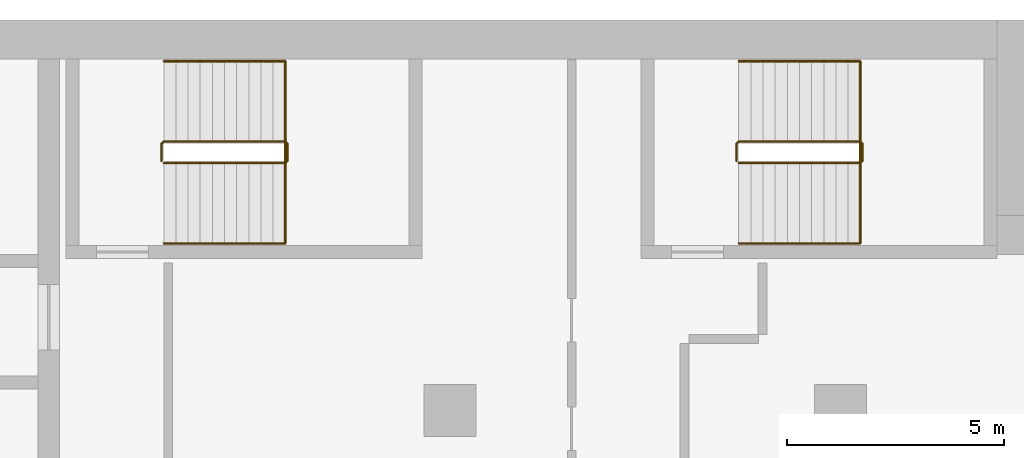
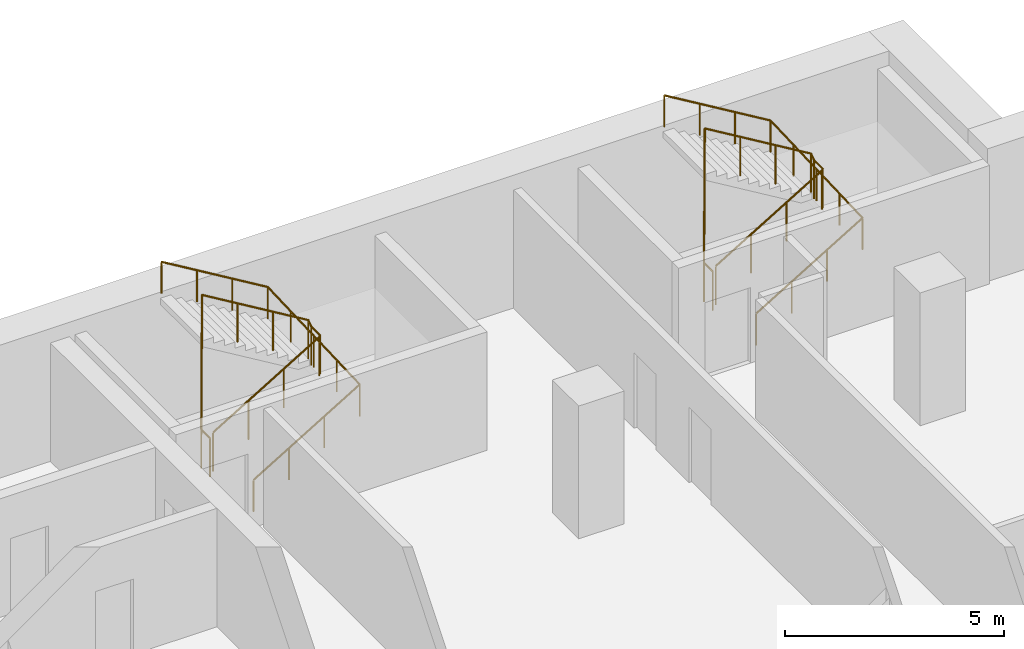
# One storey, part 23 of 23: 4 railings.
"""IFC4 building model written with IfcOpenShell, lengths in metres."""

from ifc_helpers import new_model, si_unit, direction, frame, origin, origin_2d, place, context, subcontext, project, spatial, circle, extrude, material, type_object, element, save


model = new_model("IFC4")

# Units and contexts
model_context = context("Model", 3, precision=1e-05, world=origin(), true_north=direction((0.0, 1.0)))
body_context = subcontext(model_context, "Body", "Model", "MODEL_VIEW")
ifc_project = project(units=[si_unit("LENGTHUNIT", "METRE"), si_unit("AREAUNIT", "SQUARE_METRE"), si_unit("VOLUMEUNIT", "CUBIC_METRE"), si_unit("PLANEANGLEUNIT", "RADIAN"), si_unit("MASSUNIT", "GRAM", prefix="KILO")], contexts=[model_context])

# Site, building, storey
site_placement = place(None, origin())
site = spatial("IfcSite", under=ifc_project, at=site_placement, CompositionType="ELEMENT")
building_placement = place(site_placement, origin())
building = spatial("IfcBuilding", under=site, at=building_placement, Name="Hunhe Ridgeline Campus", CompositionType="ELEMENT")
storey_placement = place(building_placement, frame((0.0, 0.0, 170.800048828125)))
storey = spatial("IfcBuildingStorey", under=building, at=storey_placement, Name="L43", CompositionType="ELEMENT", Elevation=170.800048828125)

# Railings
ifc_material_1 = material(Name="Stainless steel balustrade", Category="steel")
railing_type_1 = type_object("IfcRailingType", Name="Stair guard 1100 stainless", PredefinedType="GUARDRAIL", material=ifc_material_1)
railing_1_placement = place(storey_placement, frame((38.39990234375, 95.699951171875, 0.168212890625)))
element("IfcRailing", 1, at=railing_1_placement, inside=storey, type_object=railing_type_1, Name="L43 stair E1 guard", PredefinedType="GUARDRAIL", context=body_context, shape_type="SweptSolid", body=[
    extrude(circle(Radius=0.02392578125, at=origin_2d()), frame((0.0, 0.0, 1.076171875), z_axis=(0.857275202839, 0.0, 0.514858452973), x_axis=(0.0, 1.0, 0.0)), (0.0, 0.0, 1.0), 3.26611328125),
    extrude(circle(Radius=0.02392578125, at=origin_2d()), frame((2.800048828125, 0.0, 2.7578125), z_axis=(0.707106781187, 0.707106781187, 0.0), x_axis=(-0.707106781187, 0.707106781187, 0.0)), (0.0, 0.0, 1.0), 0.07080078125),
    extrude(circle(Radius=0.02392578125, at=origin_2d()), frame((2.85009765625, 0.050048828125, 2.7578125), z_axis=(0.0, 1.0, 0.0), x_axis=(-1.0, 0.0, 0.0)), (0.0, 0.0, 1.0), 0.39990234375),
    extrude(circle(Radius=0.02392578125, at=origin_2d()), frame((2.85009765625, 0.449951171875, 2.7578125), z_axis=(-0.274243871929, 0.274243871929, 0.92172696468), x_axis=(-0.707106781187, -0.707106781187, 0.0)), (0.0, 0.0, 1.0), 0.1826171875),
    extrude(circle(Radius=0.02392578125, at=origin_2d()), frame((2.800048828125, 0.5, 2.92578125), z_axis=(-0.857242210791, 0.0, 0.514913383045), x_axis=(0.0, -1.0, 0.0)), (0.0, 0.0, 1.0), 3.266357421875),
    extrude(circle(Radius=0.02392578125, at=origin_2d()), frame((0.0, 0.5, 4.60791015625), z_axis=(-0.013458453615, -0.013524426427, -0.999817963389), x_axis=(0.708833529934, -0.705375805398, 0.0)), (0.0, 0.0, 1.0), 3.70068359375),
    extrude(circle(Radius=0.02392578125, at=origin_2d()), frame((-0.0498046875, 0.449951171875, 0.90771484375), z_axis=(0.0, -1.0, 0.0), x_axis=(1.0, 0.0, 0.0)), (0.0, 0.0, 1.0), 0.39990234375),
    extrude(circle(Radius=0.02099609375, at=origin_2d()), origin(), (0.0, 0.0, 1.0), 1.052001953125),
    extrude(circle(Radius=0.02099609375, at=origin_2d()), frame((0.933349609375, 0.0, 0.560546875)), (0.0, 0.0, 1.0), 1.052001953125),
    extrude(circle(Radius=0.02099609375, at=origin_2d()), frame((1.86669921875, 0.0, 1.12109375)), (0.0, 0.0, 1.0), 1.052001953125),
    extrude(circle(Radius=0.02099609375, at=origin_2d()), frame((2.800048828125, 0.0, 1.681640625)), (0.0, 0.0, 1.0), 1.052001953125),
    extrude(circle(Radius=0.02099609375, at=origin_2d()), frame((2.85009765625, 0.050048828125, 1.681640625)), (0.0, 0.0, 1.0), 1.052001953125),
    extrude(circle(Radius=0.02099609375, at=origin_2d()), frame((2.85009765625, 0.449951171875, 1.681640625)), (0.0, 0.0, 1.0), 1.052001953125),
    extrude(circle(Radius=0.02099609375, at=origin_2d()), frame((2.800048828125, 0.5, 1.849853515625)), (0.0, 0.0, 1.0), 1.052001953125),
    extrude(circle(Radius=0.02099609375, at=origin_2d()), frame((1.86669921875, 0.5, 2.410400390625)), (0.0, 0.0, 1.0), 1.052001953125),
    extrude(circle(Radius=0.02099609375, at=origin_2d()), frame((0.933349609375, 0.5, 2.97119140625)), (0.0, 0.0, 1.0), 1.052001953125),
    extrude(circle(Radius=0.02099609375, at=origin_2d()), frame((0.0, 0.5, 3.53173828125)), (0.0, 0.0, 1.0), 1.052001953125),
    extrude(circle(Radius=0.02099609375, at=origin_2d()), frame((-0.012451171875, 0.487548828125, 2.606689453125)), (0.0, 0.0, 1.0), 1.052001953125),
    extrude(circle(Radius=0.02099609375, at=origin_2d()), frame((-0.02490234375, 0.47509765625, 1.681640625)), (0.0, 0.0, 1.0), 1.052001953125),
    extrude(circle(Radius=0.02099609375, at=origin_2d()), frame((-0.037353515625, 0.46240234375, 0.7568359375)), (0.0, 0.0, 1.0), 1.052001953125),
    extrude(circle(Radius=0.02099609375, at=origin_2d()), frame((-0.0498046875, 0.449951171875, -0.168212890625)), (0.0, 0.0, 1.0), 1.052001953125),
    extrude(circle(Radius=0.02099609375, at=origin_2d()), frame((-0.0498046875, 0.050048828125, -0.168212890625)), (0.0, 0.0, 1.0), 1.052001953125),
])
railing_2_placement = place(storey_placement, frame((51.64990234375, 95.699951171875, 0.168212890625)))
element("IfcRailing", 2, at=railing_2_placement, inside=storey, type_object=railing_type_1, Name="L43 stair E2 guard", PredefinedType="GUARDRAIL", context=body_context, shape_type="SweptSolid", body=[
    extrude(circle(Radius=0.02392578125, at=origin_2d()), frame((0.0, 0.0, 1.076171875), z_axis=(0.857275202839, 0.0, 0.514858452973), x_axis=(0.0, 1.0, 0.0)), (0.0, 0.0, 1.0), 3.26611328125),
    extrude(circle(Radius=0.02392578125, at=origin_2d()), frame((2.800048828125, 0.0, 2.7578125), z_axis=(0.707106781187, 0.707106781187, 0.0), x_axis=(-0.707106781187, 0.707106781187, 0.0)), (0.0, 0.0, 1.0), 0.07080078125),
    extrude(circle(Radius=0.02392578125, at=origin_2d()), frame((2.85009765625, 0.050048828125, 2.7578125), z_axis=(0.0, 1.0, 0.0), x_axis=(-1.0, 0.0, 0.0)), (0.0, 0.0, 1.0), 0.39990234375),
    extrude(circle(Radius=0.02392578125, at=origin_2d()), frame((2.85009765625, 0.449951171875, 2.7578125), z_axis=(-0.274243871929, 0.274243871929, 0.92172696468), x_axis=(-0.707106781187, -0.707106781187, 0.0)), (0.0, 0.0, 1.0), 0.1826171875),
    extrude(circle(Radius=0.02392578125, at=origin_2d()), frame((2.800048828125, 0.5, 2.92578125), z_axis=(-0.857242210791, 0.0, 0.514913383045), x_axis=(0.0, -1.0, 0.0)), (0.0, 0.0, 1.0), 3.266357421875),
    extrude(circle(Radius=0.02392578125, at=origin_2d()), frame((0.0, 0.5, 4.60791015625), z_axis=(-0.013458453615, -0.013524426427, -0.999817963389), x_axis=(0.708833529934, -0.705375805398, 0.0)), (0.0, 0.0, 1.0), 3.70068359375),
    extrude(circle(Radius=0.02392578125, at=origin_2d()), frame((-0.0498046875, 0.449951171875, 0.90771484375), z_axis=(0.0, -1.0, 0.0), x_axis=(1.0, 0.0, 0.0)), (0.0, 0.0, 1.0), 0.39990234375),
    extrude(circle(Radius=0.02099609375, at=origin_2d()), origin(), (0.0, 0.0, 1.0), 1.052001953125),
    extrude(circle(Radius=0.02099609375, at=origin_2d()), frame((0.933349609375, 0.0, 0.560546875)), (0.0, 0.0, 1.0), 1.052001953125),
    extrude(circle(Radius=0.02099609375, at=origin_2d()), frame((1.86669921875, 0.0, 1.12109375)), (0.0, 0.0, 1.0), 1.052001953125),
    extrude(circle(Radius=0.02099609375, at=origin_2d()), frame((2.800048828125, 0.0, 1.681640625)), (0.0, 0.0, 1.0), 1.052001953125),
    extrude(circle(Radius=0.02099609375, at=origin_2d()), frame((2.85009765625, 0.050048828125, 1.681640625)), (0.0, 0.0, 1.0), 1.052001953125),
    extrude(circle(Radius=0.02099609375, at=origin_2d()), frame((2.85009765625, 0.449951171875, 1.681640625)), (0.0, 0.0, 1.0), 1.052001953125),
    extrude(circle(Radius=0.02099609375, at=origin_2d()), frame((2.800048828125, 0.5, 1.849853515625)), (0.0, 0.0, 1.0), 1.052001953125),
    extrude(circle(Radius=0.02099609375, at=origin_2d()), frame((1.86669921875, 0.5, 2.410400390625)), (0.0, 0.0, 1.0), 1.052001953125),
    extrude(circle(Radius=0.02099609375, at=origin_2d()), frame((0.933349609375, 0.5, 2.97119140625)), (0.0, 0.0, 1.0), 1.052001953125),
    extrude(circle(Radius=0.02099609375, at=origin_2d()), frame((0.0, 0.5, 3.53173828125)), (0.0, 0.0, 1.0), 1.052001953125),
    extrude(circle(Radius=0.02099609375, at=origin_2d()), frame((-0.012451171875, 0.487548828125, 2.606689453125)), (0.0, 0.0, 1.0), 1.052001953125),
    extrude(circle(Radius=0.02099609375, at=origin_2d()), frame((-0.02490234375, 0.47509765625, 1.681640625)), (0.0, 0.0, 1.0), 1.052001953125),
    extrude(circle(Radius=0.02099609375, at=origin_2d()), frame((-0.037353515625, 0.46240234375, 0.7568359375)), (0.0, 0.0, 1.0), 1.052001953125),
    extrude(circle(Radius=0.02099609375, at=origin_2d()), frame((-0.0498046875, 0.449951171875, -0.168212890625)), (0.0, 0.0, 1.0), 1.052001953125),
    extrude(circle(Radius=0.02099609375, at=origin_2d()), frame((-0.0498046875, 0.050048828125, -0.168212890625)), (0.0, 0.0, 1.0), 1.052001953125),
])
ifc_material_2 = material(Name="Stainless steel handrail", Category="steel")
railing_type_2 = type_object("IfcRailingType", Name="Stair handrail 900 stainless", PredefinedType="HANDRAIL", material=ifc_material_2)
railing_3_placement = place(storey_placement, frame((38.39990234375, 93.85009765625, 0.168212890625)))
element("IfcRailing", 3, at=railing_3_placement, inside=storey, type_object=railing_type_2, Name="L43 stair E1 handrail", PredefinedType="HANDRAIL", context=body_context, shape_type="SweptSolid", body=[
    extrude(circle(Radius=0.02392578125, at=origin_2d()), frame((0.0, 0.0, 0.8759765625), z_axis=(0.857275202839, 0.0, 0.514858452973), x_axis=(0.0, 1.0, 0.0)), (0.0, 0.0, 1.0), 3.26611328125),
    extrude(circle(Radius=0.02392578125, at=origin_2d()), frame((2.800048828125, 0.0, 2.5576171875), z_axis=(0.0, 0.999198916169, 0.040019069537), x_axis=(-1.0, 0.0, 0.0)), (0.0, 0.0, 1.0), 4.203369140625),
    extrude(circle(Radius=0.02392578125, at=origin_2d()), frame((2.800048828125, 4.199951171875, 2.7255859375), z_axis=(-0.857242210791, 0.0, 0.514913383045), x_axis=(0.0, -1.0, 0.0)), (0.0, 0.0, 1.0), 3.266357421875),
    extrude(circle(Radius=0.02099609375, at=origin_2d()), origin(), (0.0, 0.0, 1.0), 0.851806640625),
    extrude(circle(Radius=0.02099609375, at=origin_2d()), frame((0.933349609375, 0.0, 0.560546875)), (0.0, 0.0, 1.0), 0.851806640625),
    extrude(circle(Radius=0.02099609375, at=origin_2d()), frame((1.86669921875, 0.0, 1.12109375)), (0.0, 0.0, 1.0), 0.851806640625),
    extrude(circle(Radius=0.02099609375, at=origin_2d()), frame((2.800048828125, 0.0, 1.681640625)), (0.0, 0.0, 1.0), 0.851806640625),
    extrude(circle(Radius=0.02099609375, at=origin_2d()), frame((2.800048828125, 1.050048828125, 1.7236328125)), (0.0, 0.0, 1.0), 0.851806640625),
    extrude(circle(Radius=0.02099609375, at=origin_2d()), frame((2.800048828125, 2.10009765625, 1.765625)), (0.0, 0.0, 1.0), 0.851806640625),
    extrude(circle(Radius=0.02099609375, at=origin_2d()), frame((2.800048828125, 3.14990234375, 1.807861328125)), (0.0, 0.0, 1.0), 0.851806640625),
    extrude(circle(Radius=0.02099609375, at=origin_2d()), frame((2.800048828125, 4.199951171875, 1.849853515625)), (0.0, 0.0, 1.0), 0.851806640625),
    extrude(circle(Radius=0.02099609375, at=origin_2d()), frame((1.86669921875, 4.199951171875, 2.410400390625)), (0.0, 0.0, 1.0), 0.851806640625),
    extrude(circle(Radius=0.02099609375, at=origin_2d()), frame((0.933349609375, 4.199951171875, 2.97119140625)), (0.0, 0.0, 1.0), 0.851806640625),
    extrude(circle(Radius=0.02099609375, at=origin_2d()), frame((0.0, 4.199951171875, 3.53173828125)), (0.0, 0.0, 1.0), 0.851806640625),
])
railing_4_placement = place(storey_placement, frame((51.64990234375, 93.85009765625, 0.168212890625)))
element("IfcRailing", 4, at=railing_4_placement, inside=storey, type_object=railing_type_2, Name="L43 stair E2 handrail", PredefinedType="HANDRAIL", context=body_context, shape_type="SweptSolid", body=[
    extrude(circle(Radius=0.02392578125, at=origin_2d()), frame((0.0, 0.0, 0.8759765625), z_axis=(0.857275202839, 0.0, 0.514858452973), x_axis=(0.0, 1.0, 0.0)), (0.0, 0.0, 1.0), 3.26611328125),
    extrude(circle(Radius=0.02392578125, at=origin_2d()), frame((2.800048828125, 0.0, 2.5576171875), z_axis=(0.0, 0.999198916169, 0.040019069537), x_axis=(-1.0, 0.0, 0.0)), (0.0, 0.0, 1.0), 4.203369140625),
    extrude(circle(Radius=0.02392578125, at=origin_2d()), frame((2.800048828125, 4.199951171875, 2.7255859375), z_axis=(-0.857242210791, 0.0, 0.514913383045), x_axis=(0.0, -1.0, 0.0)), (0.0, 0.0, 1.0), 3.266357421875),
    extrude(circle(Radius=0.02099609375, at=origin_2d()), origin(), (0.0, 0.0, 1.0), 0.851806640625),
    extrude(circle(Radius=0.02099609375, at=origin_2d()), frame((0.933349609375, 0.0, 0.560546875)), (0.0, 0.0, 1.0), 0.851806640625),
    extrude(circle(Radius=0.02099609375, at=origin_2d()), frame((1.86669921875, 0.0, 1.12109375)), (0.0, 0.0, 1.0), 0.851806640625),
    extrude(circle(Radius=0.02099609375, at=origin_2d()), frame((2.800048828125, 0.0, 1.681640625)), (0.0, 0.0, 1.0), 0.851806640625),
    extrude(circle(Radius=0.02099609375, at=origin_2d()), frame((2.800048828125, 1.050048828125, 1.7236328125)), (0.0, 0.0, 1.0), 0.851806640625),
    extrude(circle(Radius=0.02099609375, at=origin_2d()), frame((2.800048828125, 2.10009765625, 1.765625)), (0.0, 0.0, 1.0), 0.851806640625),
    extrude(circle(Radius=0.02099609375, at=origin_2d()), frame((2.800048828125, 3.14990234375, 1.807861328125)), (0.0, 0.0, 1.0), 0.851806640625),
    extrude(circle(Radius=0.02099609375, at=origin_2d()), frame((2.800048828125, 4.199951171875, 1.849853515625)), (0.0, 0.0, 1.0), 0.851806640625),
    extrude(circle(Radius=0.02099609375, at=origin_2d()), frame((1.86669921875, 4.199951171875, 2.410400390625)), (0.0, 0.0, 1.0), 0.851806640625),
    extrude(circle(Radius=0.02099609375, at=origin_2d()), frame((0.933349609375, 4.199951171875, 2.97119140625)), (0.0, 0.0, 1.0), 0.851806640625),
    extrude(circle(Radius=0.02099609375, at=origin_2d()), frame((0.0, 4.199951171875, 3.53173828125)), (0.0, 0.0, 1.0), 0.851806640625),
])

save(model, "model.ifc")
